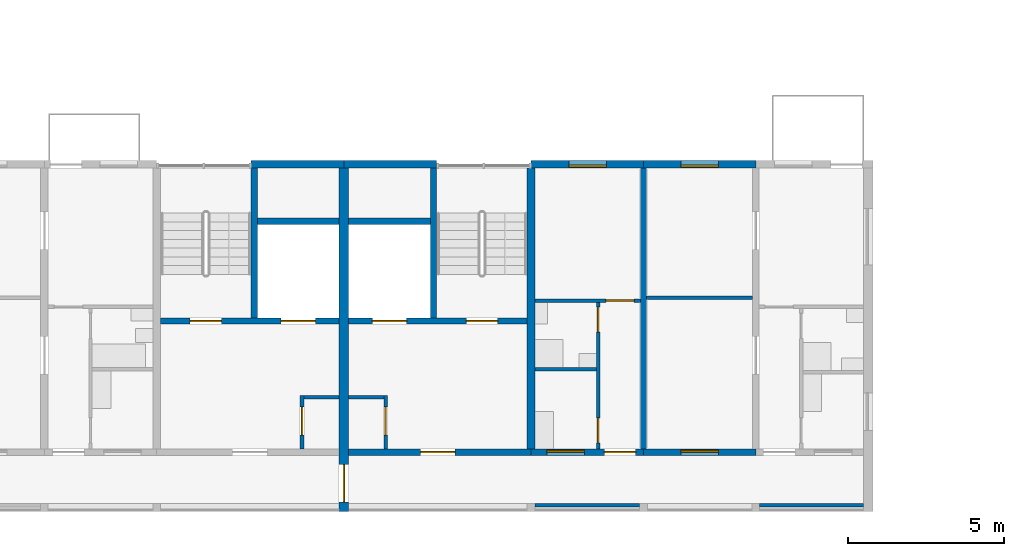
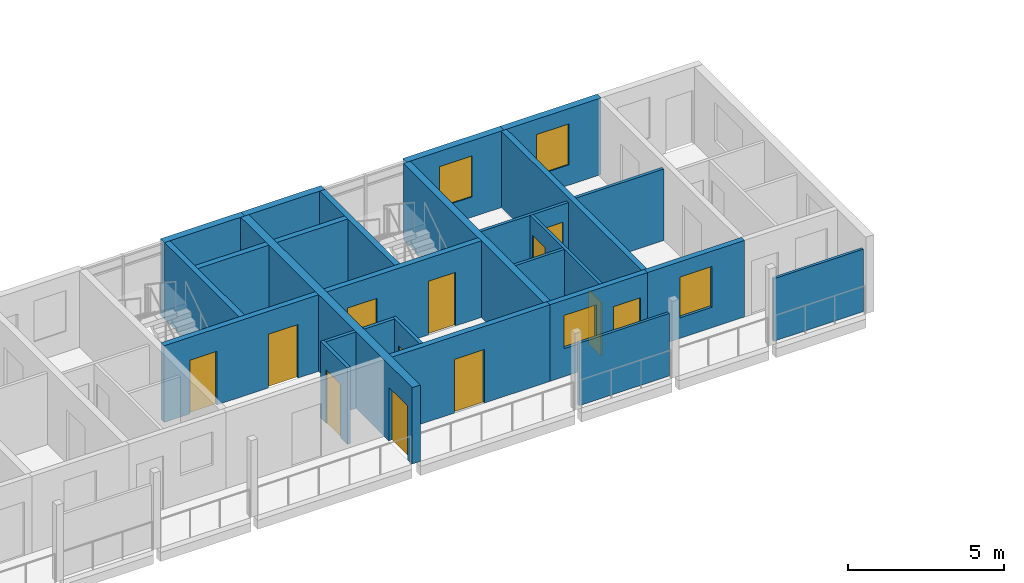
# One storey, part 38 of 99: 26 walls, 12 doors, 4 windows, 16 openings.
"""IFC4 building model written with IfcOpenShell, lengths in metres."""

from ifc_helpers import new_model, si_unit, direction, frame, frame_2d, origin, place, context, subcontext, project, spatial, rectangle, extrude, material, layer, layer_set, type_object, element, fill, save


model = new_model("IFC4")

# Units and contexts
model_context = context("Model", 3, precision=1e-05, world=origin(), true_north=direction((0.0, 1.0)))
body_context = subcontext(model_context, "Body", "Model", "MODEL_VIEW")
ifc_project = project(units=[si_unit("LENGTHUNIT", "METRE"), si_unit("AREAUNIT", "SQUARE_METRE"), si_unit("VOLUMEUNIT", "CUBIC_METRE"), si_unit("PLANEANGLEUNIT", "RADIAN"), si_unit("MASSUNIT", "GRAM", prefix="KILO")], contexts=[model_context])

# Site, building, storey
site_placement = place(None, origin())
site = spatial("IfcSite", under=ifc_project, at=site_placement, CompositionType="ELEMENT")
building_placement = place(site_placement, origin())
building = spatial("IfcBuilding", under=site, at=building_placement, Name="Ridgestep Commons", CompositionType="ELEMENT")
storey_placement = place(building_placement, frame((0.0, 0.0, 15.0)))
storey = spatial("IfcBuildingStorey", under=building, at=storey_placement, Name="L05", CompositionType="ELEMENT", Elevation=15.0)

# Wall
ifc_material_1 = material(Name="Concrete C30/37", Category="concrete")
ifc_layer_1 = layer(ifc_material_1, 0.25)
ifc_layer_set_1 = layer_set([ifc_layer_1], Name="Core cross wall 250")
wall_type_1 = type_object("IfcWallType", Name="Core cross wall 250", PredefinedType="SHEAR", material=ifc_layer_set_1)
wall_1_placement = place(storey_placement, frame((102.0, 13.75, 0.0), z_axis=(0.0, 0.0, 1.0), x_axis=(0.0, 1.0, 0.0)))
element("IfcWall", 1, at=wall_1_placement, inside=storey, type_object=wall_type_1, Name="Cross wall A-05-1020", PredefinedType="SHEAR", context=body_context, shape_type="SweptSolid", body=[
    extrude(rectangle(XDim=9.0, YDim=0.25, at=frame_2d((4.5, 0.0))), origin(), (0.0, 0.0, 1.0), 3.0),
])

# Wall, opening, door
ifc_material_2 = material(Name="Concrete C30/37", Category="concrete")
ifc_layer_2 = layer(ifc_material_2, 0.199951171875)
ifc_layer_set_2 = layer_set([ifc_layer_2], Name="Core south wall 200")
wall_type_2 = type_object("IfcWallType", Name="Core south wall 200", PredefinedType="SHEAR", material=ifc_layer_set_2)
wall_2_placement = place(storey_placement, frame((96.14990234375, 13.64990234375, 0.0), z_axis=(0.0, 0.0, 1.0), x_axis=(1.0, 0.0, 0.0)))
wall_2 = element("IfcWall", 2, at=wall_2_placement, inside=storey, type_object=wall_type_2, Name="Core south wall A6C L05", PredefinedType="SHEAR", context=body_context, shape_type="SweptSolid", body=[
    extrude(rectangle(XDim=5.85009765625, YDim=0.199951171875, at=frame_2d((2.925048828125, 0.0))), origin(), (0.0, 0.0, 1.0), 3.0),
])
opening_1_placement = place(wall_2_placement, frame((2.3125, 0.0, 0.0)))
opening_1 = element("IfcOpeningElement", 3, at=opening_1_placement, cuts=wall_2, Name="Opening A6C/05/1", PredefinedType="OPENING", context=body_context, shape_type="SweptSolid", body=[
    extrude(rectangle(XDim=1.10009765625, YDim=2.10009765625, at=frame_2d((0.550048828125, 1.050048828125))), frame((0.0, 0.10986328125, 0.0), z_axis=(0.0, -1.0, 0.0), x_axis=(1.0, 0.0, 0.0)), (0.0, 0.0, 1.0), 0.219970703125),
])
ifc_material_3 = material(Name="Steel fire door", Category="steel")
door_type_1 = type_object("IfcDoorType", Name="Lobby door 1100 x 2100 FD60", OperationType="NOTDEFINED", PredefinedType="DOOR", material=ifc_material_3)
door_1_placement = place(opening_1_placement, origin())
door_1 = element("IfcDoor", 4, at=door_1_placement, inside=storey, type_object=door_type_1, Name="Lobby door A6C/05/1", OperationType="SINGLE_SWING_LEFT", OverallHeight=2.10009765625, OverallWidth=1.10009765625, PredefinedType="DOOR", context=body_context, shape_type="SweptSolid", body=[
    extrude(rectangle(XDim=1.10009765625, YDim=2.10009765625, at=frame_2d((0.550048828125, 1.050048828125))), frame((0.0, 0.02490234375, 0.0), z_axis=(0.0, -1.0, 0.0), x_axis=(1.0, 0.0, 0.0)), (0.0, 0.0, 1.0), 0.050048828125),
])
fill(opening_1, door_1)

ifc_material_4 = material(Name="Concrete C30/37", Category="concrete")
ifc_layer_3 = layer(ifc_material_4, 0.1201171875)
ifc_layer_set_3 = layer_set([ifc_layer_3], Name="Core wall 120")
wall_type_3 = type_object("IfcWallType", Name="Core wall 120", PredefinedType="SHEAR", material=ifc_layer_set_3)
wall_3_placement = place(storey_placement, frame((94.659912109375, 13.75, 0.0), z_axis=(0.0, 0.0, 1.0), x_axis=(0.0, 1.0, 0.0)))
wall_3 = element("IfcWall", 5, at=wall_3_placement, inside=storey, type_object=wall_type_3, Name="Core riser w wall A5C L05", PredefinedType="SHEAR", context=body_context, shape_type="SweptSolid", body=[
    extrude(rectangle(XDim=1.719970703125, YDim=0.1201171875, at=frame_2d((0.85986328125, 0.0))), origin(), (0.0, 0.0, 1.0), 3.0),
])
opening_2_placement = place(wall_3_placement, frame((0.449951171875, 0.0, 0.0)))
opening_2 = element("IfcOpeningElement", 6, at=opening_2_placement, cuts=wall_3, Name="Opening A5C/05/4", PredefinedType="OPENING", context=body_context, shape_type="SweptSolid", body=[
    extrude(rectangle(XDim=0.89990234375, YDim=2.10009765625, at=frame_2d((0.449951171875, 1.050048828125))), frame((0.0, 0.070068359375, 0.0), z_axis=(0.0, -1.0, 0.0), x_axis=(1.0, 0.0, 0.0)), (0.0, 0.0, 1.0), 0.14013671875),
])
ifc_material_5 = material(Name="Steel fire door", Category="steel")
door_type_2 = type_object("IfcDoorType", Name="Riser door 900 x 2100 FD60", OperationType="NOTDEFINED", PredefinedType="DOOR", material=ifc_material_5)
door_2_placement = place(opening_2_placement, origin())
door_2 = element("IfcDoor", 7, at=door_2_placement, inside=storey, type_object=door_type_2, Name="Riser door A5C/05/4", OperationType="SINGLE_SWING_LEFT", OverallHeight=2.10009765625, OverallWidth=0.89990234375, PredefinedType="DOOR", context=body_context, shape_type="SweptSolid", body=[
    extrude(rectangle(XDim=0.89990234375, YDim=2.10009765625, at=frame_2d((0.449951171875, 1.050048828125))), frame((0.0, 0.02490234375, 0.0), z_axis=(0.0, -1.0, 0.0), x_axis=(1.0, 0.0, 0.0)), (0.0, 0.0, 1.0), 0.050048828125),
])
fill(opening_2, door_2)

# Wall
wall_4_placement = place(storey_placement, frame((94.719970703125, 15.409912109375, 0.0), z_axis=(0.0, 0.0, 1.0), x_axis=(1.0, 0.0, 0.0)))
element("IfcWall", 8, at=wall_4_placement, inside=storey, type_object=wall_type_3, Name="Core riser n wall A5C L05", PredefinedType="SHEAR", context=body_context, shape_type="SweptSolid", body=[
    extrude(rectangle(XDim=1.130126953125, YDim=0.1201171875, at=frame_2d((0.56494140625, 0.0))), origin(), (0.0, 0.0, 1.0), 3.0),
])

# Wall, opening, door
wall_5_placement = place(storey_placement, frame((97.340087890625, 13.75, 0.0), z_axis=(0.0, 0.0, 1.0), x_axis=(0.0, 1.0, 0.0)))
wall_5 = element("IfcWall", 9, at=wall_5_placement, inside=storey, type_object=wall_type_3, Name="Core riser w wall A6C L05", PredefinedType="SHEAR", context=body_context, shape_type="SweptSolid", body=[
    extrude(rectangle(XDim=1.719970703125, YDim=0.1201171875, at=frame_2d((0.85986328125, 0.0))), origin(), (0.0, 0.0, 1.0), 3.0),
])
opening_3_placement = place(wall_5_placement, frame((0.449951171875, 0.0, 0.0)))
opening_3 = element("IfcOpeningElement", 10, at=opening_3_placement, cuts=wall_5, Name="Opening A6C/05/4", PredefinedType="OPENING", context=body_context, shape_type="SweptSolid", body=[
    extrude(rectangle(XDim=0.89990234375, YDim=2.10009765625, at=frame_2d((0.449951171875, 1.050048828125))), frame((0.0, 0.070068359375, 0.0), z_axis=(0.0, -1.0, 0.0), x_axis=(1.0, 0.0, 0.0)), (0.0, 0.0, 1.0), 0.14013671875),
])
door_3_placement = place(opening_3_placement, origin())
door_3 = element("IfcDoor", 11, at=door_3_placement, inside=storey, type_object=door_type_2, Name="Riser door A6C/05/4", OperationType="SINGLE_SWING_RIGHT", OverallHeight=2.10009765625, OverallWidth=0.89990234375, PredefinedType="DOOR", context=body_context, shape_type="SweptSolid", body=[
    extrude(rectangle(XDim=0.89990234375, YDim=2.10009765625, at=frame_2d((0.449951171875, 1.050048828125))), frame((0.0, 0.02490234375, 0.0), z_axis=(0.0, -1.0, 0.0), x_axis=(1.0, 0.0, 0.0)), (0.0, 0.0, 1.0), 0.050048828125),
])
fill(opening_3, door_3)

# Wall
wall_6_placement = place(storey_placement, frame((96.14990234375, 15.409912109375, 0.0), z_axis=(0.0, 0.0, 1.0), x_axis=(1.0, 0.0, 0.0)))
element("IfcWall", 12, at=wall_6_placement, inside=storey, type_object=wall_type_3, Name="Core riser n wall A6C L05", PredefinedType="SHEAR", context=body_context, shape_type="SweptSolid", body=[
    extrude(rectangle(XDim=1.130126953125, YDim=0.1201171875, at=frame_2d((0.56494140625, 0.0))), origin(), (0.0, 0.0, 1.0), 3.0),
])

# Wall, openings, doors
ifc_material_6 = material(Name="Concrete C30/37", Category="concrete")
ifc_layer_4 = layer(ifc_material_6, 0.199951171875)
ifc_layer_set_4 = layer_set([ifc_layer_4], Name="Core wall 200")
wall_type_4 = type_object("IfcWallType", Name="Core wall 200", PredefinedType="SHEAR", material=ifc_layer_set_4)
wall_7_placement = place(storey_placement, frame((90.125, 17.85009765625, 0.0), z_axis=(0.0, 0.0, 1.0), x_axis=(1.0, 0.0, 0.0)))
wall_7 = element("IfcWall", 13, at=wall_7_placement, inside=storey, type_object=wall_type_4, Name="Core lobby wall A5C L05", PredefinedType="SHEAR", context=body_context, shape_type="SweptSolid", body=[
    extrude(rectangle(XDim=5.72509765625, YDim=0.199951171875, at=frame_2d((2.862548828125, 0.0))), origin(), (0.0, 0.0, 1.0), 3.0),
])
opening_4_placement = place(wall_7_placement, frame((0.949951171875, 0.0, 0.0)))
opening_4 = element("IfcOpeningElement", 14, at=opening_4_placement, cuts=wall_7, Name="Opening A5C/05/2", PredefinedType="OPENING", context=body_context, shape_type="SweptSolid", body=[
    extrude(rectangle(XDim=1.0, YDim=2.10009765625, at=frame_2d((0.5, 1.050048828125))), frame((0.0, 0.10986328125, 0.0), z_axis=(0.0, -1.0, 0.0), x_axis=(1.0, 0.0, 0.0)), (0.0, 0.0, 1.0), 0.219970703125),
])
opening_5_placement = place(wall_7_placement, frame((3.862548828125, 0.0, 0.0)))
opening_5 = element("IfcOpeningElement", 15, at=opening_5_placement, cuts=wall_7, Name="Opening A5C/05/3", PredefinedType="OPENING", context=body_context, shape_type="SweptSolid", body=[
    extrude(rectangle(XDim=1.10009765625, YDim=2.10009765625, at=frame_2d((0.550048828125, 1.050048828125))), frame((0.0, 0.10986328125, 0.0), z_axis=(0.0, -1.0, 0.0), x_axis=(1.0, 0.0, 0.0)), (0.0, 0.0, 1.0), 0.219970703125),
])
ifc_material_7 = material(Name="Stainless steel", Category="steel")
door_type_3 = type_object("IfcDoorType", Name="Lift landing door 1100 x 2100 FD60", OperationType="DOUBLE_DOOR_SLIDING", PredefinedType="DOOR", material=ifc_material_7)
door_4_placement = place(opening_5_placement, origin())
door_4 = element("IfcDoor", 16, at=door_4_placement, inside=storey, type_object=door_type_3, Name="Landing door LD A5C L05", OperationType="DOUBLE_DOOR_SLIDING", OverallHeight=2.10009765625, OverallWidth=1.10009765625, PredefinedType="DOOR", context=body_context, shape_type="SweptSolid", body=[
    extrude(rectangle(XDim=1.10009765625, YDim=2.10009765625, at=frame_2d((0.550048828125, 1.050048828125))), frame((0.0, 0.02490234375, 0.0), z_axis=(0.0, -1.0, 0.0), x_axis=(1.0, 0.0, 0.0)), (0.0, 0.0, 1.0), 0.050048828125),
])
fill(opening_5, door_4)
ifc_material_8 = material(Name="Steel fire door", Category="steel")
door_type_4 = type_object("IfcDoorType", Name="Stair door 1000 x 2100 FD60", OperationType="NOTDEFINED", PredefinedType="DOOR", material=ifc_material_8)
door_5_placement = place(opening_4_placement, origin())
door_5 = element("IfcDoor", 17, at=door_5_placement, inside=storey, type_object=door_type_4, Name="Stair door A5C/05/2", OperationType="SINGLE_SWING_RIGHT", OverallHeight=2.10009765625, OverallWidth=1.0, PredefinedType="DOOR", context=body_context, shape_type="SweptSolid", body=[
    extrude(rectangle(XDim=1.0, YDim=2.10009765625, at=frame_2d((0.5, 1.050048828125))), frame((0.0, 0.02490234375, 0.0), z_axis=(0.0, -1.0, 0.0), x_axis=(1.0, 0.0, 0.0)), (0.0, 0.0, 1.0), 0.050048828125),
])
fill(opening_4, door_5)

# Walls
wall_8_placement = place(storey_placement, frame((93.125, 17.949951171875, 0.0), z_axis=(0.0, 0.0, 1.0), x_axis=(0.0, 1.0, 0.0)))
element("IfcWall", 18, at=wall_8_placement, inside=storey, type_object=wall_type_4, Name="Core stair wall A5C L05", PredefinedType="SHEAR", context=body_context, shape_type="SweptSolid", body=[
    extrude(rectangle(XDim=4.800048828125, YDim=0.199951171875, at=frame_2d((2.39990234375, 0.0))), origin(), (0.0, 0.0, 1.0), 3.0),
])
wall_9_placement = place(storey_placement, frame((93.22509765625, 21.050048828125, 0.0), z_axis=(0.0, 0.0, 1.0), x_axis=(1.0, 0.0, 0.0)))
element("IfcWall", 19, at=wall_9_placement, inside=storey, type_object=wall_type_4, Name="Core duct wall A5C L05", PredefinedType="SHEAR", context=body_context, shape_type="SweptSolid", body=[
    extrude(rectangle(XDim=2.625, YDim=0.199951171875, at=frame_2d((1.3125, 0.0))), origin(), (0.0, 0.0, 1.0), 3.0),
])

# Wall, openings, doors
wall_10_placement = place(storey_placement, frame((96.14990234375, 17.85009765625, 0.0), z_axis=(0.0, 0.0, 1.0), x_axis=(1.0, 0.0, 0.0)))
wall_10 = element("IfcWall", 20, at=wall_10_placement, inside=storey, type_object=wall_type_4, Name="Core lobby wall A6C L05", PredefinedType="SHEAR", context=body_context, shape_type="SweptSolid", body=[
    extrude(rectangle(XDim=5.72509765625, YDim=0.199951171875, at=frame_2d((2.862548828125, 0.0))), origin(), (0.0, 0.0, 1.0), 3.0),
])
opening_6_placement = place(wall_10_placement, frame((3.77490234375, 0.0, 0.0)))
opening_6 = element("IfcOpeningElement", 21, at=opening_6_placement, cuts=wall_10, Name="Opening A6C/05/2", PredefinedType="OPENING", context=body_context, shape_type="SweptSolid", body=[
    extrude(rectangle(XDim=1.0, YDim=2.10009765625, at=frame_2d((0.5, 1.050048828125))), frame((0.0, 0.10986328125, 0.0), z_axis=(0.0, -1.0, 0.0), x_axis=(1.0, 0.0, 0.0)), (0.0, 0.0, 1.0), 0.219970703125),
])
opening_7_placement = place(wall_10_placement, frame((0.762451171875, 0.0, 0.0)))
opening_7 = element("IfcOpeningElement", 22, at=opening_7_placement, cuts=wall_10, Name="Opening A6C/05/3", PredefinedType="OPENING", context=body_context, shape_type="SweptSolid", body=[
    extrude(rectangle(XDim=1.10009765625, YDim=2.10009765625, at=frame_2d((0.550048828125, 1.050048828125))), frame((0.0, 0.10986328125, 0.0), z_axis=(0.0, -1.0, 0.0), x_axis=(1.0, 0.0, 0.0)), (0.0, 0.0, 1.0), 0.219970703125),
])
door_6_placement = place(opening_7_placement, origin())
door_6 = element("IfcDoor", 23, at=door_6_placement, inside=storey, type_object=door_type_3, Name="Landing door LD A6C L05", OperationType="DOUBLE_DOOR_SLIDING", OverallHeight=2.10009765625, OverallWidth=1.10009765625, PredefinedType="DOOR", context=body_context, shape_type="SweptSolid", body=[
    extrude(rectangle(XDim=1.10009765625, YDim=2.10009765625, at=frame_2d((0.550048828125, 1.050048828125))), frame((0.0, 0.02490234375, 0.0), z_axis=(0.0, -1.0, 0.0), x_axis=(1.0, 0.0, 0.0)), (0.0, 0.0, 1.0), 0.050048828125),
])
fill(opening_7, door_6)
door_7_placement = place(opening_6_placement, origin())
door_7 = element("IfcDoor", 24, at=door_7_placement, inside=storey, type_object=door_type_4, Name="Stair door A6C/05/2", OperationType="SINGLE_SWING_RIGHT", OverallHeight=2.10009765625, OverallWidth=1.0, PredefinedType="DOOR", context=body_context, shape_type="SweptSolid", body=[
    extrude(rectangle(XDim=1.0, YDim=2.10009765625, at=frame_2d((0.5, 1.050048828125))), frame((0.0, 0.02490234375, 0.0), z_axis=(0.0, -1.0, 0.0), x_axis=(1.0, 0.0, 0.0)), (0.0, 0.0, 1.0), 0.050048828125),
])
fill(opening_6, door_7)

# Walls
wall_11_placement = place(storey_placement, frame((98.875, 17.949951171875, 0.0), z_axis=(0.0, 0.0, 1.0), x_axis=(0.0, 1.0, 0.0)))
element("IfcWall", 25, at=wall_11_placement, inside=storey, type_object=wall_type_4, Name="Core stair wall A6C L05", PredefinedType="SHEAR", context=body_context, shape_type="SweptSolid", body=[
    extrude(rectangle(XDim=4.800048828125, YDim=0.199951171875, at=frame_2d((2.39990234375, 0.0))), origin(), (0.0, 0.0, 1.0), 3.0),
])
wall_12_placement = place(storey_placement, frame((96.14990234375, 21.050048828125, 0.0), z_axis=(0.0, 0.0, 1.0), x_axis=(1.0, 0.0, 0.0)))
element("IfcWall", 26, at=wall_12_placement, inside=storey, type_object=wall_type_4, Name="Core duct wall A6C L05", PredefinedType="SHEAR", context=body_context, shape_type="SweptSolid", body=[
    extrude(rectangle(XDim=2.625, YDim=0.199951171875, at=frame_2d((1.3125, 0.0))), origin(), (0.0, 0.0, 1.0), 3.0),
])
ifc_material_9 = material(Name="Precast concrete C40/50", Category="concrete")
ifc_layer_5 = layer(ifc_material_9, 0.199951171875)
ifc_layer_set_5 = layer_set([ifc_layer_5], Name="Cross wall 200")
wall_type_5 = type_object("IfcWallType", Name="Cross wall 200", PredefinedType="SHEAR", material=ifc_layer_set_5)
wall_13_placement = place(storey_placement, frame((105.60009765625, 13.75, 0.0), z_axis=(0.0, 0.0, 1.0), x_axis=(0.0, 1.0, 0.0)))
element("IfcWall", 27, at=wall_13_placement, inside=storey, type_object=wall_type_5, Name="Cross wall A-05-1056", PredefinedType="SHEAR", context=body_context, shape_type="SweptSolid", body=[
    extrude(rectangle(XDim=9.0, YDim=0.199951171875, at=frame_2d((4.5, 0.0))), origin(), (0.0, 0.0, 1.0), 3.0),
])

# Wall, opening, door
ifc_material_10 = material(Name="Precast concrete C40/50", Category="concrete")
ifc_layer_6 = layer(ifc_material_10, 0.300048828125)
ifc_layer_set_6 = layer_set([ifc_layer_6], Name="Division wall 300")
wall_type_6 = type_object("IfcWallType", Name="Division wall 300", PredefinedType="SHEAR", material=ifc_layer_set_6)
wall_14_placement = place(storey_placement, frame((96.0, 11.75, 0.0), z_axis=(0.0, 0.0, 1.0), x_axis=(0.0, 1.0, 0.0)))
wall_14 = element("IfcWall", 28, at=wall_14_placement, inside=storey, type_object=wall_type_6, Name="Cross wall A-05-0960", PredefinedType="SHEAR", context=body_context, shape_type="SweptSolid", body=[
    extrude(rectangle(XDim=11.0, YDim=0.300048828125, at=frame_2d((5.5, 0.0))), origin(), (0.0, 0.0, 1.0), 3.0),
])
opening_8_placement = place(wall_14_placement, frame((0.300048828125, 0.0, 0.0)))
opening_8 = element("IfcOpeningElement", 29, at=opening_8_placement, cuts=wall_14, Name="Opening A/05/G0960", PredefinedType="OPENING", context=body_context, shape_type="SweptSolid", body=[
    extrude(rectangle(XDim=1.199951171875, YDim=2.10009765625, at=frame_2d((0.60009765625, 1.050048828125))), frame((0.0, 0.159912109375, 0.0), z_axis=(0.0, -1.0, 0.0), x_axis=(1.0, 0.0, 0.0)), (0.0, 0.0, 1.0), 0.320068359375),
])
ifc_material_11 = material(Name="Steel fire door", Category="steel")
door_type_5 = type_object("IfcDoorType", Name="Division fire door 1200 x 2100 EI 240", OperationType="DOUBLE_DOOR_SINGLE_SWING", PredefinedType="DOOR", material=ifc_material_11)
door_8_placement = place(opening_8_placement, origin())
door_8 = element("IfcDoor", 30, at=door_8_placement, inside=storey, type_object=door_type_5, Name="Division fire door A/05/G0960", OperationType="DOUBLE_DOOR_SINGLE_SWING", OverallHeight=2.10009765625, OverallWidth=1.199951171875, PredefinedType="DOOR", context=body_context, shape_type="SweptSolid", body=[
    extrude(rectangle(XDim=1.199951171875, YDim=2.10009765625, at=frame_2d((0.60009765625, 1.050048828125))), frame((0.0, 0.02490234375, 0.0), z_axis=(0.0, -1.0, 0.0), x_axis=(1.0, 0.0, 0.0)), (0.0, 0.0, 1.0), 0.050048828125),
])
fill(opening_8, door_8)

# Walls
ifc_material_12 = material(Name="Precast concrete C40/50", Category="concrete")
ifc_layer_7 = layer(ifc_material_12, 0.25)
ifc_layer_set_7 = layer_set([ifc_layer_7], Name="North facade panel 250")
wall_type_7 = type_object("IfcWallType", Name="North facade panel 250", PredefinedType="SOLIDWALL", material=ifc_layer_set_7)
for number, where, z_axis, x_axis, name in (
    (31, (93.02490234375, 22.875, 0.0), (0.0, 0.0, 1.0), (1.0, 0.0, 0.0), "North panel A5C L05"),
    (32, (96.0, 22.875, 0.0), (0.0, 0.0, 1.0), (1.0, 0.0, 0.0), "North panel A6C L05"),
):
    element("IfcWall", number, at=place(storey_placement, frame(where, z_axis=z_axis, x_axis=x_axis)), inside=storey, type_object=wall_type_7, Name=name, PredefinedType="SOLIDWALL", context=body_context, shape_type="SweptSolid", body=[
        extrude(rectangle(XDim=2.97509765625, YDim=0.25, at=frame_2d((1.487548828125, 0.0))), origin(), (0.0, 0.0, 1.0), 3.0),
    ])

# Wall, opening, window
wall_15_placement = place(storey_placement, frame((102.0, 22.875, 0.0), z_axis=(0.0, 0.0, 1.0), x_axis=(1.0, 0.0, 0.0)))
wall_15 = element("IfcWall", 33, at=wall_15_placement, inside=storey, type_object=wall_type_7, Name="North panel A6T3 L05", PredefinedType="SOLIDWALL", context=body_context, shape_type="SweptSolid", body=[
    extrude(rectangle(XDim=3.60009765625, YDim=0.25, at=frame_2d((1.800048828125, 0.0))), origin(), (0.0, 0.0, 1.0), 3.0),
])
opening_9_placement = place(wall_15_placement, frame((1.21240234375, 0.0, 0.800048828125)))
opening_9 = element("IfcOpeningElement", 34, at=opening_9_placement, cuts=wall_15, Name="Opening W11", PredefinedType="OPENING", context=body_context, shape_type="SweptSolid", body=[
    extrude(rectangle(XDim=1.199951171875, YDim=1.60009765625, at=frame_2d((0.60009765625, 0.800048828125))), frame((0.0, 0.135009765625, 0.0), z_axis=(0.0, -1.0, 0.0), x_axis=(1.0, 0.0, 0.0)), (0.0, 0.0, 1.0), 0.27001953125),
])
ifc_material_13 = material(Name="Aluminium 6063-T6 and glass", Category="aluminium")
window_type_1 = type_object("IfcWindowType", Name="Flat window 1200 x 1600", PartitioningType="SINGLE_PANEL", PredefinedType="WINDOW", material=ifc_material_13)
window_1_placement = place(opening_9_placement, origin())
window_1 = element("IfcWindow", 35, at=window_1_placement, inside=storey, type_object=window_type_1, Name="Window A6-05b 2", OverallHeight=1.60009765625, OverallWidth=1.199951171875, PartitioningType="SINGLE_PANEL", PredefinedType="WINDOW", context=body_context, shape_type="SweptSolid", body=[
    extrude(rectangle(XDim=1.199951171875, YDim=1.60009765625, at=frame_2d((0.60009765625, 0.800048828125))), frame((0.0, -0.02490234375, 0.0), z_axis=(0.0, -1.0, 0.0), x_axis=(1.0, 0.0, 0.0)), (0.0, 0.0, 1.0), 0.06005859375),
])
fill(opening_9, window_1)

wall_16_placement = place(storey_placement, frame((105.60009765625, 22.875, 0.0), z_axis=(0.0, 0.0, 1.0), x_axis=(1.0, 0.0, 0.0)))
wall_16 = element("IfcWall", 36, at=wall_16_placement, inside=storey, type_object=wall_type_7, Name="North panel A6T2 L05", PredefinedType="SOLIDWALL", context=body_context, shape_type="SweptSolid", body=[
    extrude(rectangle(XDim=3.599853515625, YDim=0.25, at=frame_2d((1.7998046875, 0.0))), origin(), (0.0, 0.0, 1.0), 3.0),
])
opening_10_placement = place(wall_16_placement, frame((1.199951171875, 0.0, 0.800048828125)))
opening_10 = element("IfcOpeningElement", 37, at=opening_10_placement, cuts=wall_16, Name="Opening W11", PredefinedType="OPENING", context=body_context, shape_type="SweptSolid", body=[
    extrude(rectangle(XDim=1.199951171875, YDim=1.60009765625, at=frame_2d((0.60009765625, 0.800048828125))), frame((0.0, 0.135009765625, 0.0), z_axis=(0.0, -1.0, 0.0), x_axis=(1.0, 0.0, 0.0)), (0.0, 0.0, 1.0), 0.27001953125),
])
window_2_placement = place(opening_10_placement, origin())
window_2 = element("IfcWindow", 38, at=window_2_placement, inside=storey, type_object=window_type_1, Name="Window A6-05a 2", OverallHeight=1.60009765625, OverallWidth=1.199951171875, PartitioningType="SINGLE_PANEL", PredefinedType="WINDOW", context=body_context, shape_type="SweptSolid", body=[
    extrude(rectangle(XDim=1.199951171875, YDim=1.60009765625, at=frame_2d((0.60009765625, 0.800048828125))), frame((0.0, -0.02490234375, 0.0), z_axis=(0.0, -1.0, 0.0), x_axis=(1.0, 0.0, 0.0)), (0.0, 0.0, 1.0), 0.06005859375),
])
fill(opening_10, window_2)

# Walls
ifc_material_14 = material(Name="Common brick 110 mm", Category="masonry")
ifc_layer_8 = layer(ifc_material_14, 0.110107421875)
ifc_layer_set_8 = layer_set([ifc_layer_8], Name="Partition 110")
wall_type_8 = type_object("IfcWallType", Name="Partition 110", PredefinedType="PARTITIONING", material=ifc_layer_set_8)
wall_17_placement = place(storey_placement, frame((105.699951171875, 18.60498046875, 0.0), z_axis=(0.0, 0.0, 1.0), x_axis=(1.0, 0.0, 0.0)))
element("IfcWall", 39, at=wall_17_placement, inside=storey, type_object=wall_type_8, Name="Partition A6-05a", PredefinedType="PARTITIONING", context=body_context, shape_type="SweptSolid", body=[
    extrude(rectangle(XDim=3.400146484375, YDim=0.110107421875, at=frame_2d((1.7001953125, 0.0))), origin(), (0.0, 0.0, 1.0), 2.800048828125),
])
wall_18_placement = place(storey_placement, frame((102.125, 16.304931640625, 0.0), z_axis=(0.0, 0.0, 1.0), x_axis=(1.0, 0.0, 0.0)))
element("IfcWall", 40, at=wall_18_placement, inside=storey, type_object=wall_type_8, Name="Partition A6-05b", PredefinedType="PARTITIONING", context=body_context, shape_type="SweptSolid", body=[
    extrude(rectangle(XDim=1.965087890625, YDim=0.110107421875, at=frame_2d((0.982421875, 0.0))), origin(), (0.0, 0.0, 1.0), 2.800048828125),
])

# Wall, openings, doors
wall_19_placement = place(storey_placement, frame((104.14501953125, 13.75, 0.0), z_axis=(0.0, 0.0, 1.0), x_axis=(0.0, 1.0, 0.0)))
wall_19 = element("IfcWall", 41, at=wall_19_placement, inside=storey, type_object=wall_type_8, Name="Partition A6-05b", PredefinedType="PARTITIONING", context=body_context, shape_type="SweptSolid", body=[
    extrude(rectangle(XDim=4.699951171875, YDim=0.110107421875, at=frame_2d((2.35009765625, 0.0))), origin(), (0.0, 0.0, 1.0), 2.800048828125),
])
opening_11_placement = place(wall_19_placement, frame((0.199951171875, 0.0, 0.0)))
opening_11 = element("IfcOpeningElement", 42, at=opening_11_placement, cuts=wall_19, Name="Opening A6-05b/2", PredefinedType="OPENING", context=body_context, shape_type="SweptSolid", body=[
    extrude(rectangle(XDim=0.800048828125, YDim=2.10009765625, at=frame_2d((0.39990234375, 1.050048828125))), frame((0.0, 0.06494140625, 0.0), z_axis=(0.0, -1.0, 0.0), x_axis=(1.0, 0.0, 0.0)), (0.0, 0.0, 1.0), 0.130126953125),
])
opening_12_placement = place(wall_19_placement, frame((3.75, 0.0, 0.0)))
opening_12 = element("IfcOpeningElement", 43, at=opening_12_placement, cuts=wall_19, Name="Opening A6-05b/3", PredefinedType="OPENING", context=body_context, shape_type="SweptSolid", body=[
    extrude(rectangle(XDim=0.800048828125, YDim=2.10009765625, at=frame_2d((0.39990234375, 1.050048828125))), frame((0.0, 0.06494140625, 0.0), z_axis=(0.0, -1.0, 0.0), x_axis=(1.0, 0.0, 0.0)), (0.0, 0.0, 1.0), 0.130126953125),
])
ifc_material_15 = material(Name="Timber door leaf", Category="wood")
door_type_6 = type_object("IfcDoorType", Name="Internal door 800 x 2100", OperationType="NOTDEFINED", PredefinedType="DOOR", material=ifc_material_15)
door_9_placement = place(opening_11_placement, origin())
door_9 = element("IfcDoor", 44, at=door_9_placement, inside=storey, type_object=door_type_6, Name="Internal door A6-05b/2", OperationType="SINGLE_SWING_LEFT", OverallHeight=2.10009765625, OverallWidth=0.800048828125, PredefinedType="DOOR", context=body_context, shape_type="SweptSolid", body=[
    extrude(rectangle(XDim=0.800048828125, YDim=2.10009765625, at=frame_2d((0.39990234375, 1.050048828125))), frame((0.0, 0.02490234375, 0.0), z_axis=(0.0, -1.0, 0.0), x_axis=(1.0, 0.0, 0.0)), (0.0, 0.0, 1.0), 0.050048828125),
])
fill(opening_11, door_9)
door_10_placement = place(opening_12_placement, origin())
door_10 = element("IfcDoor", 45, at=door_10_placement, inside=storey, type_object=door_type_6, Name="Internal door A6-05b/3", OperationType="SINGLE_SWING_RIGHT", OverallHeight=2.10009765625, OverallWidth=0.800048828125, PredefinedType="DOOR", context=body_context, shape_type="SweptSolid", body=[
    extrude(rectangle(XDim=0.800048828125, YDim=2.10009765625, at=frame_2d((0.39990234375, 1.050048828125))), frame((0.0, 0.02490234375, 0.0), z_axis=(0.0, -1.0, 0.0), x_axis=(1.0, 0.0, 0.0)), (0.0, 0.0, 1.0), 0.050048828125),
])
fill(opening_12, door_10)

# Wall, opening, door
wall_20_placement = place(storey_placement, frame((102.125, 18.5048828125, 0.0), z_axis=(0.0, 0.0, 1.0), x_axis=(1.0, 0.0, 0.0)))
wall_20 = element("IfcWall", 46, at=wall_20_placement, inside=storey, type_object=wall_type_8, Name="Partition A6-05b", PredefinedType="PARTITIONING", context=body_context, shape_type="SweptSolid", body=[
    extrude(rectangle(XDim=3.375, YDim=0.110107421875, at=frame_2d((1.6875, 0.0))), origin(), (0.0, 0.0, 1.0), 2.800048828125),
])
opening_13_placement = place(wall_20_placement, frame((2.27490234375, 0.0, 0.0)))
opening_13 = element("IfcOpeningElement", 47, at=opening_13_placement, cuts=wall_20, Name="Opening A6-05b/4", PredefinedType="OPENING", context=body_context, shape_type="SweptSolid", body=[
    extrude(rectangle(XDim=0.89990234375, YDim=2.10009765625, at=frame_2d((0.449951171875, 1.050048828125))), frame((0.0, 0.06494140625, 0.0), z_axis=(0.0, -1.0, 0.0), x_axis=(1.0, 0.0, 0.0)), (0.0, 0.0, 1.0), 0.130126953125),
])
ifc_material_16 = material(Name="Timber door leaf", Category="wood")
door_type_7 = type_object("IfcDoorType", Name="Internal door 900 x 2100", OperationType="NOTDEFINED", PredefinedType="DOOR", material=ifc_material_16)
door_11_placement = place(opening_13_placement, origin())
door_11 = element("IfcDoor", 48, at=door_11_placement, inside=storey, type_object=door_type_7, Name="Internal door A6-05b/4", OperationType="SINGLE_SWING_LEFT", OverallHeight=2.10009765625, OverallWidth=0.89990234375, PredefinedType="DOOR", context=body_context, shape_type="SweptSolid", body=[
    extrude(rectangle(XDim=0.89990234375, YDim=2.10009765625, at=frame_2d((0.449951171875, 1.050048828125))), frame((0.0, 0.02490234375, 0.0), z_axis=(0.0, -1.0, 0.0), x_axis=(1.0, 0.0, 0.0)), (0.0, 0.0, 1.0), 0.050048828125),
])
fill(opening_13, door_11)

# Walls
ifc_material_17 = material(Name="Precast concrete C30/37", Category="concrete")
ifc_layer_9 = layer(ifc_material_17, 0.10009765625)
ifc_layer_set_9 = layer_set([ifc_layer_9], Name="Perforated gallery screen 3325 x 2450 x 100")
wall_type_9 = type_object("IfcWallType", Name="Perforated gallery screen 3325 x 2450 x 100", PredefinedType="SOLIDWALL", material=ifc_layer_set_9)
wall_21_placement = place(storey_placement, frame((109.324951171875, 11.949951171875, 0.0), z_axis=(0.0, 0.0, 1.0), x_axis=(1.0, 0.0, 0.0)))
element("IfcWall", 49, at=wall_21_placement, inside=storey, type_object=wall_type_9, Name="Gallery screen A6T1 05", PredefinedType="SOLIDWALL", context=body_context, shape_type="SweptSolid", body=[
    extrude(rectangle(XDim=3.324951171875, YDim=0.10009765625, at=frame_2d((1.66259765625, 0.0))), origin(), (0.0, 0.0, 1.0), 2.449951171875),
])
ifc_material_18 = material(Name="Precast concrete C30/37", Category="concrete")
ifc_layer_10 = layer(ifc_material_18, 0.10009765625)
ifc_layer_set_10 = layer_set([ifc_layer_10], Name="Perforated gallery screen 3350 x 2450 x 100")
wall_type_10 = type_object("IfcWallType", Name="Perforated gallery screen 3350 x 2450 x 100", PredefinedType="SOLIDWALL", material=ifc_layer_set_10)
wall_22_placement = place(storey_placement, frame((102.125, 11.949951171875, 0.0), z_axis=(0.0, 0.0, 1.0), x_axis=(1.0, 0.0, 0.0)))
element("IfcWall", 50, at=wall_22_placement, inside=storey, type_object=wall_type_10, Name="Gallery screen A6T3 05", PredefinedType="SOLIDWALL", context=body_context, shape_type="SweptSolid", body=[
    extrude(rectangle(XDim=3.35009765625, YDim=0.10009765625, at=frame_2d((1.675048828125, 0.0))), origin(), (0.0, 0.0, 1.0), 2.449951171875),
])

# Wall, openings, door, window
ifc_material_19 = material(Name="Precast concrete C40/50", Category="concrete")
ifc_layer_11 = layer(ifc_material_19, 0.199951171875)
ifc_layer_set_11 = layer_set([ifc_layer_11], Name="South facade panel 200")
wall_type_11 = type_object("IfcWallType", Name="South facade panel 200", PredefinedType="SOLIDWALL", material=ifc_layer_set_11)
wall_23_placement = place(storey_placement, frame((102.0, 13.64990234375, 0.0), z_axis=(0.0, 0.0, 1.0), x_axis=(1.0, 0.0, 0.0)))
wall_23 = element("IfcWall", 51, at=wall_23_placement, inside=storey, type_object=wall_type_11, Name="South panel A6T3 L05", PredefinedType="SOLIDWALL", context=body_context, shape_type="SweptSolid", body=[
    extrude(rectangle(XDim=3.60009765625, YDim=0.199951171875, at=frame_2d((1.800048828125, 0.0))), origin(), (0.0, 0.0, 1.0), 3.0),
])
opening_14_placement = place(wall_23_placement, frame((0.507568359375, 0.0, 1.10009765625)))
opening_14 = element("IfcOpeningElement", 52, at=opening_14_placement, cuts=wall_23, Name="Opening W08", PredefinedType="OPENING", context=body_context, shape_type="SweptSolid", body=[
    extrude(rectangle(XDim=1.199951171875, YDim=1.300048828125, at=frame_2d((0.60009765625, 0.64990234375))), frame((0.0, 0.10986328125, 0.0), z_axis=(0.0, -1.0, 0.0), x_axis=(1.0, 0.0, 0.0)), (0.0, 0.0, 1.0), 0.219970703125),
])
opening_15_placement = place(wall_23_placement, frame((2.35009765625, 0.0, 0.0)))
opening_15 = element("IfcOpeningElement", 53, at=opening_15_placement, cuts=wall_23, Name="Opening A6-05b/1", PredefinedType="OPENING", context=body_context, shape_type="SweptSolid", body=[
    extrude(rectangle(XDim=1.0, YDim=2.10009765625, at=frame_2d((0.5, 1.050048828125))), frame((0.0, 0.10986328125, 0.0), z_axis=(0.0, -1.0, 0.0), x_axis=(1.0, 0.0, 0.0)), (0.0, 0.0, 1.0), 0.219970703125),
])
ifc_material_20 = material(Name="Timber door leaf", Category="wood")
door_type_8 = type_object("IfcDoorType", Name="Flat entrance door 1000 x 2100 FD30S", OperationType="NOTDEFINED", PredefinedType="DOOR", material=ifc_material_20)
door_12_placement = place(opening_15_placement, origin())
door_12 = element("IfcDoor", 54, at=door_12_placement, inside=storey, type_object=door_type_8, Name="Flat entrance door A6-05b/1", OperationType="SINGLE_SWING_RIGHT", OverallHeight=2.10009765625, OverallWidth=1.0, PredefinedType="DOOR", context=body_context, shape_type="SweptSolid", body=[
    extrude(rectangle(XDim=1.0, YDim=2.10009765625, at=frame_2d((0.5, 1.050048828125))), frame((0.0, 0.02490234375, 0.0), z_axis=(0.0, -1.0, 0.0), x_axis=(1.0, 0.0, 0.0)), (0.0, 0.0, 1.0), 0.050048828125),
])
fill(opening_15, door_12)
ifc_material_21 = material(Name="Aluminium 6063-T6 and glass", Category="aluminium")
window_type_2 = type_object("IfcWindowType", Name="Flat window 1200 x 1300", PartitioningType="SINGLE_PANEL", PredefinedType="WINDOW", material=ifc_material_21)
window_3_placement = place(opening_14_placement, origin())
window_3 = element("IfcWindow", 55, at=window_3_placement, inside=storey, type_object=window_type_2, Name="Window A6-05b 1", OverallHeight=1.300048828125, OverallWidth=1.199951171875, PartitioningType="SINGLE_PANEL", PredefinedType="WINDOW", context=body_context, shape_type="SweptSolid", body=[
    extrude(rectangle(XDim=1.199951171875, YDim=1.300048828125, at=frame_2d((0.60009765625, 0.64990234375))), frame((0.0, 0.06005859375, 0.0), z_axis=(0.0, -1.0, 0.0), x_axis=(1.0, 0.0, 0.0)), (0.0, 0.0, 1.0), 0.06005859375),
])
fill(opening_14, window_3)

# Wall, opening, window
wall_24_placement = place(storey_placement, frame((105.60009765625, 13.64990234375, 0.0), z_axis=(0.0, 0.0, 1.0), x_axis=(1.0, 0.0, 0.0)))
wall_24 = element("IfcWall", 56, at=wall_24_placement, inside=storey, type_object=wall_type_11, Name="South panel A6T2 L05", PredefinedType="SOLIDWALL", context=body_context, shape_type="SweptSolid", body=[
    extrude(rectangle(XDim=3.599853515625, YDim=0.199951171875, at=frame_2d((1.7998046875, 0.0))), origin(), (0.0, 0.0, 1.0), 3.0),
])
opening_16_placement = place(wall_24_placement, frame((1.199951171875, 0.0, 0.800048828125)))
opening_16 = element("IfcOpeningElement", 57, at=opening_16_placement, cuts=wall_24, Name="Opening W11", PredefinedType="OPENING", context=body_context, shape_type="SweptSolid", body=[
    extrude(rectangle(XDim=1.199951171875, YDim=1.60009765625, at=frame_2d((0.60009765625, 0.800048828125))), frame((0.0, 0.10986328125, 0.0), z_axis=(0.0, -1.0, 0.0), x_axis=(1.0, 0.0, 0.0)), (0.0, 0.0, 1.0), 0.219970703125),
])
window_4_placement = place(opening_16_placement, origin())
window_4 = element("IfcWindow", 58, at=window_4_placement, inside=storey, type_object=window_type_1, Name="Window A6-05a 1", OverallHeight=1.60009765625, OverallWidth=1.199951171875, PartitioningType="SINGLE_PANEL", PredefinedType="WINDOW", context=body_context, shape_type="SweptSolid", body=[
    extrude(rectangle(XDim=1.199951171875, YDim=1.60009765625, at=frame_2d((0.60009765625, 0.800048828125))), frame((0.0, 0.06005859375, 0.0), z_axis=(0.0, -1.0, 0.0), x_axis=(1.0, 0.0, 0.0)), (0.0, 0.0, 1.0), 0.06005859375),
])
fill(opening_16, window_4)

save(model, "model.ifc")
